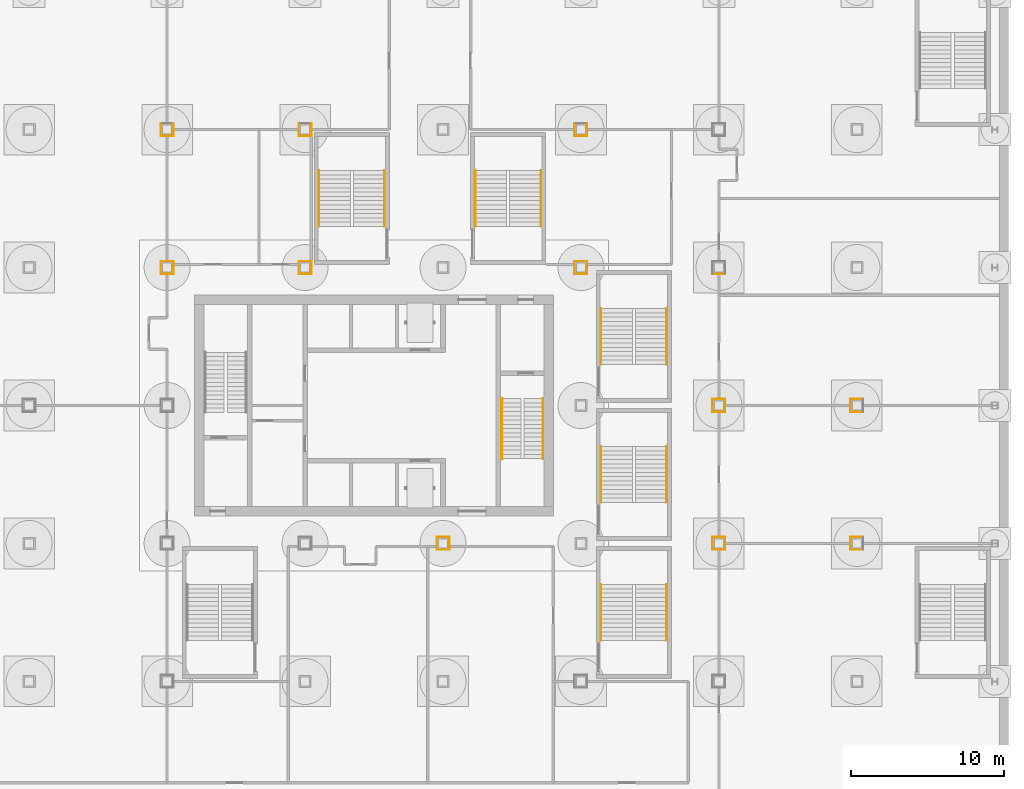
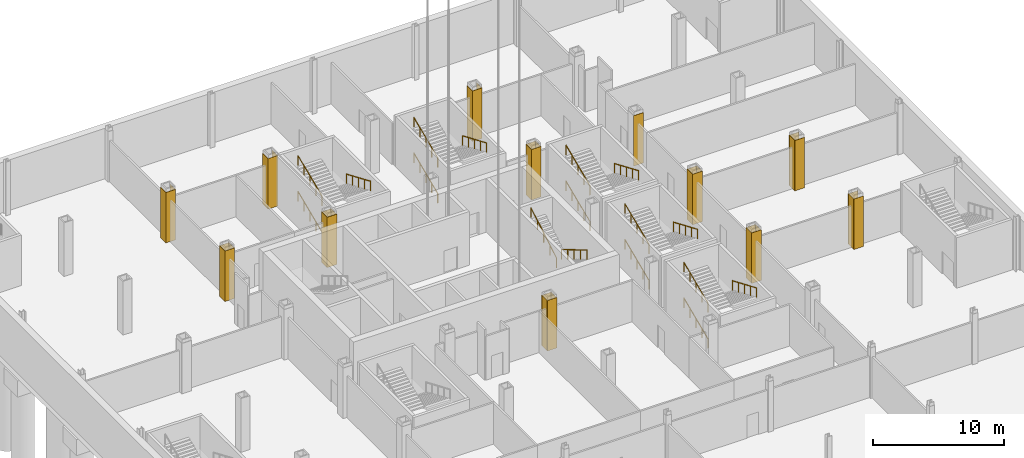
# One storey, part 21 of 28: 40 coverings, 17 railings.
"""IFC4 building model written with IfcOpenShell, lengths in metres."""

from ifc_helpers import new_model, si_unit, direction, frame, origin, origin_2d, place, context, subcontext, project, spatial, rectangle, circle, extrude, material, layer, layer_set, type_object, element, save


model = new_model("IFC4")

# Units and contexts
model_context = context("Model", 3, precision=1e-05, world=origin(), true_north=direction((0.0, 1.0)))
body_context = subcontext(model_context, "Body", "Model", "MODEL_VIEW")
ifc_project = project(units=[si_unit("LENGTHUNIT", "METRE"), si_unit("AREAUNIT", "SQUARE_METRE"), si_unit("VOLUMEUNIT", "CUBIC_METRE"), si_unit("PLANEANGLEUNIT", "RADIAN"), si_unit("MASSUNIT", "GRAM", prefix="KILO")], contexts=[model_context])

# Site, building, storey
site_placement = place(None, origin())
site = spatial("IfcSite", under=ifc_project, at=site_placement, CompositionType="ELEMENT")
building_placement = place(site_placement, origin())
building = spatial("IfcBuilding", under=site, at=building_placement, Name="Loomwork Tower", CompositionType="ELEMENT")
storey_placement = place(building_placement, frame((0.0, 0.0, -10.5)))
storey = spatial("IfcBuildingStorey", under=building, at=storey_placement, Name="B2", CompositionType="ELEMENT", Elevation=-10.5)

# Coverings
ifc_material_1 = material(Name="Two-hour fire-rated gypsum board casing")
ifc_layer = layer(ifc_material_1, 0.02490234375)
ifc_layer_set = layer_set([ifc_layer], Name="Column fire casing 25")
covering_type = type_object("IfcCoveringType", Name="Column fire casing 25", PredefinedType="CLADDING", material=ifc_layer_set)
for number, where, z_axis, x_axis, name in (
    (1, (9.0, 27.41259765625, 0.0), (0.0, 0.0, 1.0), (1.0, 0.0, 0.0), "Column casing 9 27 B2"),
    (2, (9.0, 26.58740234375, 0.0), (0.0, 0.0, 1.0), (1.0, 0.0, 0.0), "Column casing 9 27 B2"),
):
    element("IfcCovering", number, at=place(storey_placement, frame(where, z_axis=z_axis, x_axis=x_axis)), inside=storey, type_object=covering_type, Name=name, PredefinedType="CLADDING", context=body_context, shape_type="SweptSolid", body=[
        extrude(rectangle(XDim=0.85009765625, YDim=0.02490234375, at=origin_2d()), origin(), (0.0, 0.0, 1.0), 4.699951171875),
    ])
for number, where, z_axis, x_axis, name in (
    (3, (9.41259765625, 27.0, 0.0), (0.0, 0.0, 1.0), (1.0, 0.0, 0.0), "Column casing 9 27 B2"),
    (4, (8.58740234375, 27.0, 0.0), (0.0, 0.0, 1.0), (1.0, 0.0, 0.0), "Column casing 9 27 B2"),
):
    element("IfcCovering", number, at=place(storey_placement, frame(where, z_axis=z_axis, x_axis=x_axis)), inside=storey, type_object=covering_type, Name=name, PredefinedType="CLADDING", context=body_context, shape_type="SweptSolid", body=[
        extrude(rectangle(XDim=0.02490234375, YDim=0.800048828125, at=origin_2d()), origin(), (0.0, 0.0, 1.0), 4.699951171875),
    ])
covering_1_placement = place(storey_placement, frame((9.0, 35.58740234375, 0.0), z_axis=(0.0, 0.0, 1.0), x_axis=(1.0, 0.0, 0.0)))
element("IfcCovering", 5, at=covering_1_placement, inside=storey, type_object=covering_type, Name="Column casing 9 36 B2", PredefinedType="CLADDING", context=body_context, shape_type="SweptSolid", body=[
    extrude(rectangle(XDim=0.85009765625, YDim=0.02490234375, at=origin_2d()), origin(), (0.0, 0.0, 1.0), 4.699951171875),
])
for number, where, z_axis, x_axis, name in (
    (6, (9.41259765625, 36.0, 0.0), (0.0, 0.0, 1.0), (1.0, 0.0, 0.0), "Column casing 9 36 B2"),
    (7, (8.58740234375, 36.0, 0.0), (0.0, 0.0, 1.0), (1.0, 0.0, 0.0), "Column casing 9 36 B2"),
):
    element("IfcCovering", number, at=place(storey_placement, frame(where, z_axis=z_axis, x_axis=x_axis)), inside=storey, type_object=covering_type, Name=name, PredefinedType="CLADDING", context=body_context, shape_type="SweptSolid", body=[
        extrude(rectangle(XDim=0.02490234375, YDim=0.800048828125, at=origin_2d()), origin(), (0.0, 0.0, 1.0), 4.699951171875),
    ])
for number, where, z_axis, x_axis, name in (
    (8, (18.0, 27.41259765625, 0.0), (0.0, 0.0, 1.0), (1.0, 0.0, 0.0), "Column casing 18 27 B2"),
    (9, (18.0, 26.58740234375, 0.0), (0.0, 0.0, 1.0), (1.0, 0.0, 0.0), "Column casing 18 27 B2"),
):
    element("IfcCovering", number, at=place(storey_placement, frame(where, z_axis=z_axis, x_axis=x_axis)), inside=storey, type_object=covering_type, Name=name, PredefinedType="CLADDING", context=body_context, shape_type="SweptSolid", body=[
        extrude(rectangle(XDim=0.85009765625, YDim=0.02490234375, at=origin_2d()), origin(), (0.0, 0.0, 1.0), 4.699951171875),
    ])
for number, where, z_axis, x_axis, name in (
    (10, (18.41259765625, 27.0, 0.0), (0.0, 0.0, 1.0), (1.0, 0.0, 0.0), "Column casing 18 27 B2"),
    (11, (17.58740234375, 27.0, 0.0), (0.0, 0.0, 1.0), (1.0, 0.0, 0.0), "Column casing 18 27 B2"),
):
    element("IfcCovering", number, at=place(storey_placement, frame(where, z_axis=z_axis, x_axis=x_axis)), inside=storey, type_object=covering_type, Name=name, PredefinedType="CLADDING", context=body_context, shape_type="SweptSolid", body=[
        extrude(rectangle(XDim=0.02490234375, YDim=0.800048828125, at=origin_2d()), origin(), (0.0, 0.0, 1.0), 4.699951171875),
    ])
covering_2_placement = place(storey_placement, frame((18.0, 35.58740234375, 0.0), z_axis=(0.0, 0.0, 1.0), x_axis=(1.0, 0.0, 0.0)))
element("IfcCovering", 12, at=covering_2_placement, inside=storey, type_object=covering_type, Name="Column casing 18 36 B2", PredefinedType="CLADDING", context=body_context, shape_type="SweptSolid", body=[
    extrude(rectangle(XDim=0.85009765625, YDim=0.02490234375, at=origin_2d()), origin(), (0.0, 0.0, 1.0), 4.699951171875),
])
for number, where, z_axis, x_axis, name in (
    (13, (18.41259765625, 36.0, 0.0), (0.0, 0.0, 1.0), (1.0, 0.0, 0.0), "Column casing 18 36 B2"),
    (14, (17.58740234375, 36.0, 0.0), (0.0, 0.0, 1.0), (1.0, 0.0, 0.0), "Column casing 18 36 B2"),
):
    element("IfcCovering", number, at=place(storey_placement, frame(where, z_axis=z_axis, x_axis=x_axis)), inside=storey, type_object=covering_type, Name=name, PredefinedType="CLADDING", context=body_context, shape_type="SweptSolid", body=[
        extrude(rectangle(XDim=0.02490234375, YDim=0.800048828125, at=origin_2d()), origin(), (0.0, 0.0, 1.0), 4.699951171875),
    ])
for number, where, z_axis, x_axis, name in (
    (15, (27.0, 9.41259765625, 0.0), (0.0, 0.0, 1.0), (1.0, 0.0, 0.0), "Column casing 27 9 B2"),
    (16, (27.0, 8.58740234375, 0.0), (0.0, 0.0, 1.0), (1.0, 0.0, 0.0), "Column casing 27 9 B2"),
):
    element("IfcCovering", number, at=place(storey_placement, frame(where, z_axis=z_axis, x_axis=x_axis)), inside=storey, type_object=covering_type, Name=name, PredefinedType="CLADDING", context=body_context, shape_type="SweptSolid", body=[
        extrude(rectangle(XDim=0.85009765625, YDim=0.02490234375, at=origin_2d()), origin(), (0.0, 0.0, 1.0), 4.699951171875),
    ])
for number, where, z_axis, x_axis, name in (
    (17, (27.41259765625, 9.0, 0.0), (0.0, 0.0, 1.0), (1.0, 0.0, 0.0), "Column casing 27 9 B2"),
    (18, (26.58740234375, 9.0, 0.0), (0.0, 0.0, 1.0), (1.0, 0.0, 0.0), "Column casing 27 9 B2"),
):
    element("IfcCovering", number, at=place(storey_placement, frame(where, z_axis=z_axis, x_axis=x_axis)), inside=storey, type_object=covering_type, Name=name, PredefinedType="CLADDING", context=body_context, shape_type="SweptSolid", body=[
        extrude(rectangle(XDim=0.02490234375, YDim=0.800048828125, at=origin_2d()), origin(), (0.0, 0.0, 1.0), 4.699951171875),
    ])
for number, where, z_axis, x_axis, name in (
    (19, (36.0, 27.41259765625, 0.0), (0.0, 0.0, 1.0), (1.0, 0.0, 0.0), "Column casing 36 27 B2"),
    (20, (36.0, 26.58740234375, 0.0), (0.0, 0.0, 1.0), (1.0, 0.0, 0.0), "Column casing 36 27 B2"),
):
    element("IfcCovering", number, at=place(storey_placement, frame(where, z_axis=z_axis, x_axis=x_axis)), inside=storey, type_object=covering_type, Name=name, PredefinedType="CLADDING", context=body_context, shape_type="SweptSolid", body=[
        extrude(rectangle(XDim=0.85009765625, YDim=0.02490234375, at=origin_2d()), origin(), (0.0, 0.0, 1.0), 4.699951171875),
    ])
for number, where, z_axis, x_axis, name in (
    (21, (36.41259765625, 27.0, 0.0), (0.0, 0.0, 1.0), (1.0, 0.0, 0.0), "Column casing 36 27 B2"),
    (22, (35.58740234375, 27.0, 0.0), (0.0, 0.0, 1.0), (1.0, 0.0, 0.0), "Column casing 36 27 B2"),
):
    element("IfcCovering", number, at=place(storey_placement, frame(where, z_axis=z_axis, x_axis=x_axis)), inside=storey, type_object=covering_type, Name=name, PredefinedType="CLADDING", context=body_context, shape_type="SweptSolid", body=[
        extrude(rectangle(XDim=0.02490234375, YDim=0.800048828125, at=origin_2d()), origin(), (0.0, 0.0, 1.0), 4.699951171875),
    ])
covering_3_placement = place(storey_placement, frame((36.0, 35.58740234375, 0.0), z_axis=(0.0, 0.0, 1.0), x_axis=(1.0, 0.0, 0.0)))
element("IfcCovering", 23, at=covering_3_placement, inside=storey, type_object=covering_type, Name="Column casing 36 36 B2", PredefinedType="CLADDING", context=body_context, shape_type="SweptSolid", body=[
    extrude(rectangle(XDim=0.85009765625, YDim=0.02490234375, at=origin_2d()), origin(), (0.0, 0.0, 1.0), 4.699951171875),
])
for number, where, z_axis, x_axis, name in (
    (24, (36.41259765625, 36.0, 0.0), (0.0, 0.0, 1.0), (1.0, 0.0, 0.0), "Column casing 36 36 B2"),
    (25, (35.58740234375, 36.0, 0.0), (0.0, 0.0, 1.0), (1.0, 0.0, 0.0), "Column casing 36 36 B2"),
):
    element("IfcCovering", number, at=place(storey_placement, frame(where, z_axis=z_axis, x_axis=x_axis)), inside=storey, type_object=covering_type, Name=name, PredefinedType="CLADDING", context=body_context, shape_type="SweptSolid", body=[
        extrude(rectangle(XDim=0.02490234375, YDim=0.800048828125, at=origin_2d()), origin(), (0.0, 0.0, 1.0), 4.699951171875),
    ])
for number, where, z_axis, x_axis, name in (
    (26, (45.0, 9.41259765625, 0.0), (0.0, 0.0, 1.0), (1.0, 0.0, 0.0), "Column casing 45 9 B2"),
    (27, (45.0, 8.58740234375, 0.0), (0.0, 0.0, 1.0), (1.0, 0.0, 0.0), "Column casing 45 9 B2"),
):
    element("IfcCovering", number, at=place(storey_placement, frame(where, z_axis=z_axis, x_axis=x_axis)), inside=storey, type_object=covering_type, Name=name, PredefinedType="CLADDING", context=body_context, shape_type="SweptSolid", body=[
        extrude(rectangle(XDim=0.85009765625, YDim=0.02490234375, at=origin_2d()), origin(), (0.0, 0.0, 1.0), 4.699951171875),
    ])
for number, where, z_axis, x_axis, name in (
    (28, (45.41259765625, 9.0, 0.0), (0.0, 0.0, 1.0), (1.0, 0.0, 0.0), "Column casing 45 9 B2"),
    (29, (44.58740234375, 9.0, 0.0), (0.0, 0.0, 1.0), (1.0, 0.0, 0.0), "Column casing 45 9 B2"),
):
    element("IfcCovering", number, at=place(storey_placement, frame(where, z_axis=z_axis, x_axis=x_axis)), inside=storey, type_object=covering_type, Name=name, PredefinedType="CLADDING", context=body_context, shape_type="SweptSolid", body=[
        extrude(rectangle(XDim=0.02490234375, YDim=0.800048828125, at=origin_2d()), origin(), (0.0, 0.0, 1.0), 4.699951171875),
    ])
for number, where, z_axis, x_axis, name in (
    (30, (45.0, 18.41259765625, 0.0), (0.0, 0.0, 1.0), (1.0, 0.0, 0.0), "Column casing 45 18 B2"),
    (31, (45.0, 17.58740234375, 0.0), (0.0, 0.0, 1.0), (1.0, 0.0, 0.0), "Column casing 45 18 B2"),
):
    element("IfcCovering", number, at=place(storey_placement, frame(where, z_axis=z_axis, x_axis=x_axis)), inside=storey, type_object=covering_type, Name=name, PredefinedType="CLADDING", context=body_context, shape_type="SweptSolid", body=[
        extrude(rectangle(XDim=0.85009765625, YDim=0.02490234375, at=origin_2d()), origin(), (0.0, 0.0, 1.0), 4.699951171875),
    ])
for number, where, z_axis, x_axis, name in (
    (32, (45.41259765625, 18.0, 0.0), (0.0, 0.0, 1.0), (1.0, 0.0, 0.0), "Column casing 45 18 B2"),
    (33, (44.58740234375, 18.0, 0.0), (0.0, 0.0, 1.0), (1.0, 0.0, 0.0), "Column casing 45 18 B2"),
):
    element("IfcCovering", number, at=place(storey_placement, frame(where, z_axis=z_axis, x_axis=x_axis)), inside=storey, type_object=covering_type, Name=name, PredefinedType="CLADDING", context=body_context, shape_type="SweptSolid", body=[
        extrude(rectangle(XDim=0.02490234375, YDim=0.800048828125, at=origin_2d()), origin(), (0.0, 0.0, 1.0), 4.699951171875),
    ])
for number, where, z_axis, x_axis, name in (
    (34, (45.0, 26.58740234375, 0.0), (0.0, 0.0, 1.0), (1.0, 0.0, 0.0), "Column casing 45 27 B2"),
    (35, (54.0, 9.41259765625, 0.0), (0.0, 0.0, 1.0), (1.0, 0.0, 0.0), "Column casing 54 9 B2"),
    (36, (54.0, 8.58740234375, 0.0), (0.0, 0.0, 1.0), (1.0, 0.0, 0.0), "Column casing 54 9 B2"),
):
    element("IfcCovering", number, at=place(storey_placement, frame(where, z_axis=z_axis, x_axis=x_axis)), inside=storey, type_object=covering_type, Name=name, PredefinedType="CLADDING", context=body_context, shape_type="SweptSolid", body=[
        extrude(rectangle(XDim=0.85009765625, YDim=0.02490234375, at=origin_2d()), origin(), (0.0, 0.0, 1.0), 4.699951171875),
    ])
covering_4_placement = place(storey_placement, frame((53.58740234375, 9.0, 0.0), z_axis=(0.0, 0.0, 1.0), x_axis=(1.0, 0.0, 0.0)))
element("IfcCovering", 37, at=covering_4_placement, inside=storey, type_object=covering_type, Name="Column casing 54 9 B2", PredefinedType="CLADDING", context=body_context, shape_type="SweptSolid", body=[
    extrude(rectangle(XDim=0.02490234375, YDim=0.800048828125, at=origin_2d()), origin(), (0.0, 0.0, 1.0), 4.699951171875),
])
for number, where, z_axis, x_axis, name in (
    (38, (54.0, 18.41259765625, 0.0), (0.0, 0.0, 1.0), (1.0, 0.0, 0.0), "Column casing 54 18 B2"),
    (39, (54.0, 17.58740234375, 0.0), (0.0, 0.0, 1.0), (1.0, 0.0, 0.0), "Column casing 54 18 B2"),
):
    element("IfcCovering", number, at=place(storey_placement, frame(where, z_axis=z_axis, x_axis=x_axis)), inside=storey, type_object=covering_type, Name=name, PredefinedType="CLADDING", context=body_context, shape_type="SweptSolid", body=[
        extrude(rectangle(XDim=0.85009765625, YDim=0.02490234375, at=origin_2d()), origin(), (0.0, 0.0, 1.0), 4.699951171875),
    ])
covering_5_placement = place(storey_placement, frame((53.58740234375, 18.0, 0.0), z_axis=(0.0, 0.0, 1.0), x_axis=(1.0, 0.0, 0.0)))
element("IfcCovering", 40, at=covering_5_placement, inside=storey, type_object=covering_type, Name="Column casing 54 18 B2", PredefinedType="CLADDING", context=body_context, shape_type="SweptSolid", body=[
    extrude(rectangle(XDim=0.02490234375, YDim=0.800048828125, at=origin_2d()), origin(), (0.0, 0.0, 1.0), 4.699951171875),
])

# Railings
ifc_material_2 = material(Name="Stainless steel handrail", Category="steel")
railing_type = type_object("IfcRailingType", Name="Handrail 900", PredefinedType="HANDRAIL", material=ifc_material_2)
railing_1_placement = place(storey_placement, frame((33.514892578125, 18.449951171875, 0.166748046875)))
element("IfcRailing", 41, at=railing_1_placement, inside=storey, type_object=railing_type, Name="Stair B handrail flight 1 B2", PredefinedType="HANDRAIL", context=body_context, shape_type="SweptSolid", body=[
    extrude(circle(Radius=0.02392578125, at=origin_2d()), frame((0.0, 0.0, 0.8759765625), z_axis=(0.0, -0.859296244711, 0.511478214419), x_axis=(1.0, 0.0, 0.0)), (0.0, 0.0, 1.0), 4.561767578125),
    extrude(circle(Radius=0.02099609375, at=origin_2d()), origin(), (0.0, 0.0, 1.0), 0.851806640625),
    extrude(circle(Radius=0.02099609375, at=origin_2d()), frame((0.0, -0.97998046875, 0.583251953125)), (0.0, 0.0, 1.0), 0.851806640625),
    extrude(circle(Radius=0.02099609375, at=origin_2d()), frame((0.0, -1.9599609375, 1.16650390625)), (0.0, 0.0, 1.0), 0.851806640625),
    extrude(circle(Radius=0.02099609375, at=origin_2d()), frame((0.0, -2.93994140625, 1.75)), (0.0, 0.0, 1.0), 0.851806640625),
    extrude(circle(Radius=0.02099609375, at=origin_2d()), frame((0.0, -3.919921875, 2.333251953125)), (0.0, 0.0, 1.0), 0.851806640625),
])
railing_2_placement = place(storey_placement, frame((30.8349609375, 14.530029296875, 2.666748046875)))
element("IfcRailing", 42, at=railing_2_placement, inside=storey, type_object=railing_type, Name="Stair B handrail flight 2 B2", PredefinedType="HANDRAIL", context=body_context, shape_type="SweptSolid", body=[
    extrude(circle(Radius=0.02392578125, at=origin_2d()), frame((0.0, 0.0, 0.8759765625), z_axis=(0.0, 0.859296244711, 0.511478214419), x_axis=(-1.0, 0.0, 0.0)), (0.0, 0.0, 1.0), 4.561767578125),
    extrude(circle(Radius=0.02099609375, at=origin_2d()), origin(), (0.0, 0.0, 1.0), 0.851806640625),
    extrude(circle(Radius=0.02099609375, at=origin_2d()), frame((0.0, 0.97998046875, 0.583251953125)), (0.0, 0.0, 1.0), 0.851806640625),
    extrude(circle(Radius=0.02099609375, at=origin_2d()), frame((0.0, 1.9599609375, 1.16650390625)), (0.0, 0.0, 1.0), 0.851806640625),
    extrude(circle(Radius=0.02099609375, at=origin_2d()), frame((0.0, 2.93994140625, 1.75)), (0.0, 0.0, 1.0), 0.851806640625),
    extrude(circle(Radius=0.02099609375, at=origin_2d()), frame((0.0, 3.919921875, 2.333251953125)), (0.0, 0.0, 1.0), 0.851806640625),
])
railing_3_placement = place(storey_placement, frame((37.31005859375, 2.679931640625, 0.118896484375)))
element("IfcRailing", 43, at=railing_3_placement, inside=storey, type_object=railing_type, Name="Podium stair PS7 handrail flight 1 B2", PredefinedType="HANDRAIL", context=body_context, shape_type="SweptSolid", body=[
    extrude(circle(Radius=0.02392578125, at=origin_2d()), frame((0.0, 0.0, 0.8759765625), z_axis=(0.0, 0.920258693564, 0.391310537706), x_axis=(-1.0, 0.0, 0.0)), (0.0, 0.0, 1.0), 3.95556640625),
    extrude(circle(Radius=0.02099609375, at=origin_2d()), origin(), (0.0, 0.0, 1.0), 0.851806640625),
    extrude(circle(Radius=0.02099609375, at=origin_2d()), frame((0.0, 0.91015625, 0.386962890625)), (0.0, 0.0, 1.0), 0.851806640625),
    extrude(circle(Radius=0.02099609375, at=origin_2d()), frame((0.0, 1.820068359375, 0.77392578125)), (0.0, 0.0, 1.0), 0.851806640625),
    extrude(circle(Radius=0.02099609375, at=origin_2d()), frame((0.0, 2.72998046875, 1.160888671875)), (0.0, 0.0, 1.0), 0.851806640625),
    extrude(circle(Radius=0.02099609375, at=origin_2d()), frame((0.0, 3.64013671875, 1.5478515625)), (0.0, 0.0, 1.0), 0.851806640625),
])
railing_4_placement = place(storey_placement, frame((41.590087890625, 6.320068359375, 1.78564453125)))
element("IfcRailing", 44, at=railing_4_placement, inside=storey, type_object=railing_type, Name="Podium stair PS7 handrail flight 2 B2", PredefinedType="HANDRAIL", context=body_context, shape_type="SweptSolid", body=[
    extrude(circle(Radius=0.02392578125, at=origin_2d()), frame((0.0, 0.0, 0.8759765625), z_axis=(0.0, -0.920258693564, 0.391310537706), x_axis=(1.0, 0.0, 0.0)), (0.0, 0.0, 1.0), 3.95556640625),
    extrude(circle(Radius=0.02099609375, at=origin_2d()), origin(), (0.0, 0.0, 1.0), 0.851806640625),
    extrude(circle(Radius=0.02099609375, at=origin_2d()), frame((0.0, -0.91015625, 0.386962890625)), (0.0, 0.0, 1.0), 0.851806640625),
    extrude(circle(Radius=0.02099609375, at=origin_2d()), frame((0.0, -1.820068359375, 0.77392578125)), (0.0, 0.0, 1.0), 0.851806640625),
    extrude(circle(Radius=0.02099609375, at=origin_2d()), frame((0.0, -2.72998046875, 1.160888671875)), (0.0, 0.0, 1.0), 0.851806640625),
    extrude(circle(Radius=0.02099609375, at=origin_2d()), frame((0.0, -3.64013671875, 1.5478515625)), (0.0, 0.0, 1.0), 0.851806640625),
])
railing_5_placement = place(storey_placement, frame((37.31005859375, 2.679931640625, 3.452392578125)))
element("IfcRailing", 45, at=railing_5_placement, inside=storey, type_object=railing_type, Name="Podium stair PS7 handrail flight 3 B2", PredefinedType="HANDRAIL", context=body_context, shape_type="SweptSolid", body=[
    extrude(circle(Radius=0.02392578125, at=origin_2d()), frame((0.0, 0.0, 0.8759765625), z_axis=(0.0, 0.920280918742, 0.391258265855), x_axis=(-1.0, 0.0, 0.0)), (0.0, 0.0, 1.0), 3.95556640625),
    extrude(circle(Radius=0.02099609375, at=origin_2d()), origin(), (0.0, 0.0, 1.0), 0.851806640625),
    extrude(circle(Radius=0.02099609375, at=origin_2d()), frame((0.0, 0.91015625, 0.386962890625)), (0.0, 0.0, 1.0), 0.851806640625),
    extrude(circle(Radius=0.02099609375, at=origin_2d()), frame((0.0, 1.820068359375, 0.77392578125)), (0.0, 0.0, 1.0), 0.851806640625),
    extrude(circle(Radius=0.02099609375, at=origin_2d()), frame((0.0, 2.72998046875, 1.16064453125)), (0.0, 0.0, 1.0), 0.851806640625),
    extrude(circle(Radius=0.02099609375, at=origin_2d()), frame((0.0, 3.64013671875, 1.547607421875)), (0.0, 0.0, 1.0), 0.851806640625),
])
railing_6_placement = place(storey_placement, frame((37.31005859375, 11.679931640625, 0.118896484375)))
element("IfcRailing", 46, at=railing_6_placement, inside=storey, type_object=railing_type, Name="Podium stair PS8 handrail flight 1 B2", PredefinedType="HANDRAIL", context=body_context, shape_type="SweptSolid", body=[
    extrude(circle(Radius=0.02392578125, at=origin_2d()), frame((0.0, 0.0, 0.8759765625), z_axis=(0.0, 0.920258693564, 0.391310537706), x_axis=(-1.0, 0.0, 0.0)), (0.0, 0.0, 1.0), 3.95556640625),
    extrude(circle(Radius=0.02099609375, at=origin_2d()), origin(), (0.0, 0.0, 1.0), 0.851806640625),
    extrude(circle(Radius=0.02099609375, at=origin_2d()), frame((0.0, 0.91015625, 0.386962890625)), (0.0, 0.0, 1.0), 0.851806640625),
    extrude(circle(Radius=0.02099609375, at=origin_2d()), frame((0.0, 1.820068359375, 0.77392578125)), (0.0, 0.0, 1.0), 0.851806640625),
    extrude(circle(Radius=0.02099609375, at=origin_2d()), frame((0.0, 2.72998046875, 1.160888671875)), (0.0, 0.0, 1.0), 0.851806640625),
    extrude(circle(Radius=0.02099609375, at=origin_2d()), frame((0.0, 3.64013671875, 1.5478515625)), (0.0, 0.0, 1.0), 0.851806640625),
])
railing_7_placement = place(storey_placement, frame((41.590087890625, 15.320068359375, 1.78564453125)))
element("IfcRailing", 47, at=railing_7_placement, inside=storey, type_object=railing_type, Name="Podium stair PS8 handrail flight 2 B2", PredefinedType="HANDRAIL", context=body_context, shape_type="SweptSolid", body=[
    extrude(circle(Radius=0.02392578125, at=origin_2d()), frame((0.0, 0.0, 0.8759765625), z_axis=(0.0, -0.920258693564, 0.391310537706), x_axis=(1.0, 0.0, 0.0)), (0.0, 0.0, 1.0), 3.95556640625),
    extrude(circle(Radius=0.02099609375, at=origin_2d()), origin(), (0.0, 0.0, 1.0), 0.851806640625),
    extrude(circle(Radius=0.02099609375, at=origin_2d()), frame((0.0, -0.91015625, 0.386962890625)), (0.0, 0.0, 1.0), 0.851806640625),
    extrude(circle(Radius=0.02099609375, at=origin_2d()), frame((0.0, -1.820068359375, 0.77392578125)), (0.0, 0.0, 1.0), 0.851806640625),
    extrude(circle(Radius=0.02099609375, at=origin_2d()), frame((0.0, -2.72998046875, 1.160888671875)), (0.0, 0.0, 1.0), 0.851806640625),
    extrude(circle(Radius=0.02099609375, at=origin_2d()), frame((0.0, -3.64013671875, 1.5478515625)), (0.0, 0.0, 1.0), 0.851806640625),
])
railing_8_placement = place(storey_placement, frame((37.31005859375, 11.679931640625, 3.452392578125)))
element("IfcRailing", 48, at=railing_8_placement, inside=storey, type_object=railing_type, Name="Podium stair PS8 handrail flight 3 B2", PredefinedType="HANDRAIL", context=body_context, shape_type="SweptSolid", body=[
    extrude(circle(Radius=0.02392578125, at=origin_2d()), frame((0.0, 0.0, 0.8759765625), z_axis=(0.0, 0.920280918742, 0.391258265855), x_axis=(-1.0, 0.0, 0.0)), (0.0, 0.0, 1.0), 3.95556640625),
    extrude(circle(Radius=0.02099609375, at=origin_2d()), origin(), (0.0, 0.0, 1.0), 0.851806640625),
    extrude(circle(Radius=0.02099609375, at=origin_2d()), frame((0.0, 0.91015625, 0.386962890625)), (0.0, 0.0, 1.0), 0.851806640625),
    extrude(circle(Radius=0.02099609375, at=origin_2d()), frame((0.0, 1.820068359375, 0.77392578125)), (0.0, 0.0, 1.0), 0.851806640625),
    extrude(circle(Radius=0.02099609375, at=origin_2d()), frame((0.0, 2.72998046875, 1.16064453125)), (0.0, 0.0, 1.0), 0.851806640625),
    extrude(circle(Radius=0.02099609375, at=origin_2d()), frame((0.0, 3.64013671875, 1.547607421875)), (0.0, 0.0, 1.0), 0.851806640625),
])
railing_9_placement = place(storey_placement, frame((37.31005859375, 20.679931640625, 0.118896484375)))
element("IfcRailing", 49, at=railing_9_placement, inside=storey, type_object=railing_type, Name="Podium stair PS9 handrail flight 1 B2", PredefinedType="HANDRAIL", context=body_context, shape_type="SweptSolid", body=[
    extrude(circle(Radius=0.02392578125, at=origin_2d()), frame((0.0, 0.0, 0.8759765625), z_axis=(0.0, 0.920258693564, 0.391310537706), x_axis=(-1.0, 0.0, 0.0)), (0.0, 0.0, 1.0), 3.95556640625),
    extrude(circle(Radius=0.02099609375, at=origin_2d()), origin(), (0.0, 0.0, 1.0), 0.851806640625),
    extrude(circle(Radius=0.02099609375, at=origin_2d()), frame((0.0, 0.91015625, 0.386962890625)), (0.0, 0.0, 1.0), 0.851806640625),
    extrude(circle(Radius=0.02099609375, at=origin_2d()), frame((0.0, 1.820068359375, 0.77392578125)), (0.0, 0.0, 1.0), 0.851806640625),
    extrude(circle(Radius=0.02099609375, at=origin_2d()), frame((0.0, 2.72998046875, 1.160888671875)), (0.0, 0.0, 1.0), 0.851806640625),
    extrude(circle(Radius=0.02099609375, at=origin_2d()), frame((0.0, 3.64013671875, 1.5478515625)), (0.0, 0.0, 1.0), 0.851806640625),
])
railing_10_placement = place(storey_placement, frame((41.590087890625, 24.320068359375, 1.78564453125)))
element("IfcRailing", 50, at=railing_10_placement, inside=storey, type_object=railing_type, Name="Podium stair PS9 handrail flight 2 B2", PredefinedType="HANDRAIL", context=body_context, shape_type="SweptSolid", body=[
    extrude(circle(Radius=0.02392578125, at=origin_2d()), frame((0.0, 0.0, 0.8759765625), z_axis=(0.0, -0.920258693564, 0.391310537706), x_axis=(1.0, 0.0, 0.0)), (0.0, 0.0, 1.0), 3.95556640625),
    extrude(circle(Radius=0.02099609375, at=origin_2d()), origin(), (0.0, 0.0, 1.0), 0.851806640625),
    extrude(circle(Radius=0.02099609375, at=origin_2d()), frame((0.0, -0.91015625, 0.386962890625)), (0.0, 0.0, 1.0), 0.851806640625),
    extrude(circle(Radius=0.02099609375, at=origin_2d()), frame((0.0, -1.820068359375, 0.77392578125)), (0.0, 0.0, 1.0), 0.851806640625),
    extrude(circle(Radius=0.02099609375, at=origin_2d()), frame((0.0, -2.72998046875, 1.160888671875)), (0.0, 0.0, 1.0), 0.851806640625),
    extrude(circle(Radius=0.02099609375, at=origin_2d()), frame((0.0, -3.64013671875, 1.5478515625)), (0.0, 0.0, 1.0), 0.851806640625),
])
railing_11_placement = place(storey_placement, frame((37.31005859375, 20.679931640625, 3.452392578125)))
element("IfcRailing", 51, at=railing_11_placement, inside=storey, type_object=railing_type, Name="Podium stair PS9 handrail flight 3 B2", PredefinedType="HANDRAIL", context=body_context, shape_type="SweptSolid", body=[
    extrude(circle(Radius=0.02392578125, at=origin_2d()), frame((0.0, 0.0, 0.8759765625), z_axis=(0.0, 0.920280918742, 0.391258265855), x_axis=(-1.0, 0.0, 0.0)), (0.0, 0.0, 1.0), 3.95556640625),
    extrude(circle(Radius=0.02099609375, at=origin_2d()), origin(), (0.0, 0.0, 1.0), 0.851806640625),
    extrude(circle(Radius=0.02099609375, at=origin_2d()), frame((0.0, 0.91015625, 0.386962890625)), (0.0, 0.0, 1.0), 0.851806640625),
    extrude(circle(Radius=0.02099609375, at=origin_2d()), frame((0.0, 1.820068359375, 0.77392578125)), (0.0, 0.0, 1.0), 0.851806640625),
    extrude(circle(Radius=0.02099609375, at=origin_2d()), frame((0.0, 2.72998046875, 1.16064453125)), (0.0, 0.0, 1.0), 0.851806640625),
    extrude(circle(Radius=0.02099609375, at=origin_2d()), frame((0.0, 3.64013671875, 1.547607421875)), (0.0, 0.0, 1.0), 0.851806640625),
])
railing_12_placement = place(storey_placement, frame((18.909912109375, 29.679931640625, 0.118896484375)))
element("IfcRailing", 52, at=railing_12_placement, inside=storey, type_object=railing_type, Name="Podium stair PS10 handrail flight 1 B2", PredefinedType="HANDRAIL", context=body_context, shape_type="SweptSolid", body=[
    extrude(circle(Radius=0.02392578125, at=origin_2d()), frame((0.0, 0.0, 0.8759765625), z_axis=(0.0, 0.920258693564, 0.391310537706), x_axis=(-1.0, 0.0, 0.0)), (0.0, 0.0, 1.0), 3.95556640625),
    extrude(circle(Radius=0.02099609375, at=origin_2d()), origin(), (0.0, 0.0, 1.0), 0.851806640625),
    extrude(circle(Radius=0.02099609375, at=origin_2d()), frame((0.0, 0.91015625, 0.386962890625)), (0.0, 0.0, 1.0), 0.851806640625),
    extrude(circle(Radius=0.02099609375, at=origin_2d()), frame((0.0, 1.820068359375, 0.77392578125)), (0.0, 0.0, 1.0), 0.851806640625),
    extrude(circle(Radius=0.02099609375, at=origin_2d()), frame((0.0, 2.72998046875, 1.160888671875)), (0.0, 0.0, 1.0), 0.851806640625),
    extrude(circle(Radius=0.02099609375, at=origin_2d()), frame((0.0, 3.64013671875, 1.5478515625)), (0.0, 0.0, 1.0), 0.851806640625),
])
railing_13_placement = place(storey_placement, frame((23.18994140625, 33.320068359375, 1.78564453125)))
element("IfcRailing", 53, at=railing_13_placement, inside=storey, type_object=railing_type, Name="Podium stair PS10 handrail flight 2 B2", PredefinedType="HANDRAIL", context=body_context, shape_type="SweptSolid", body=[
    extrude(circle(Radius=0.02392578125, at=origin_2d()), frame((0.0, 0.0, 0.8759765625), z_axis=(0.0, -0.920258693564, 0.391310537706), x_axis=(1.0, 0.0, 0.0)), (0.0, 0.0, 1.0), 3.95556640625),
    extrude(circle(Radius=0.02099609375, at=origin_2d()), origin(), (0.0, 0.0, 1.0), 0.851806640625),
    extrude(circle(Radius=0.02099609375, at=origin_2d()), frame((0.0, -0.91015625, 0.386962890625)), (0.0, 0.0, 1.0), 0.851806640625),
    extrude(circle(Radius=0.02099609375, at=origin_2d()), frame((0.0, -1.820068359375, 0.77392578125)), (0.0, 0.0, 1.0), 0.851806640625),
    extrude(circle(Radius=0.02099609375, at=origin_2d()), frame((0.0, -2.72998046875, 1.160888671875)), (0.0, 0.0, 1.0), 0.851806640625),
    extrude(circle(Radius=0.02099609375, at=origin_2d()), frame((0.0, -3.64013671875, 1.5478515625)), (0.0, 0.0, 1.0), 0.851806640625),
])
railing_14_placement = place(storey_placement, frame((18.909912109375, 29.679931640625, 3.452392578125)))
element("IfcRailing", 54, at=railing_14_placement, inside=storey, type_object=railing_type, Name="Podium stair PS10 handrail flight 3 B2", PredefinedType="HANDRAIL", context=body_context, shape_type="SweptSolid", body=[
    extrude(circle(Radius=0.02392578125, at=origin_2d()), frame((0.0, 0.0, 0.8759765625), z_axis=(0.0, 0.920280918742, 0.391258265855), x_axis=(-1.0, 0.0, 0.0)), (0.0, 0.0, 1.0), 3.95556640625),
    extrude(circle(Radius=0.02099609375, at=origin_2d()), origin(), (0.0, 0.0, 1.0), 0.851806640625),
    extrude(circle(Radius=0.02099609375, at=origin_2d()), frame((0.0, 0.91015625, 0.386962890625)), (0.0, 0.0, 1.0), 0.851806640625),
    extrude(circle(Radius=0.02099609375, at=origin_2d()), frame((0.0, 1.820068359375, 0.77392578125)), (0.0, 0.0, 1.0), 0.851806640625),
    extrude(circle(Radius=0.02099609375, at=origin_2d()), frame((0.0, 2.72998046875, 1.16064453125)), (0.0, 0.0, 1.0), 0.851806640625),
    extrude(circle(Radius=0.02099609375, at=origin_2d()), frame((0.0, 3.64013671875, 1.547607421875)), (0.0, 0.0, 1.0), 0.851806640625),
])
railing_15_placement = place(storey_placement, frame((29.110107421875, 29.679931640625, 0.118896484375)))
element("IfcRailing", 55, at=railing_15_placement, inside=storey, type_object=railing_type, Name="Podium stair PS11 handrail flight 1 B2", PredefinedType="HANDRAIL", context=body_context, shape_type="SweptSolid", body=[
    extrude(circle(Radius=0.02392578125, at=origin_2d()), frame((0.0, 0.0, 0.8759765625), z_axis=(0.0, 0.920258693564, 0.391310537706), x_axis=(-1.0, 0.0, 0.0)), (0.0, 0.0, 1.0), 3.95556640625),
    extrude(circle(Radius=0.02099609375, at=origin_2d()), origin(), (0.0, 0.0, 1.0), 0.851806640625),
    extrude(circle(Radius=0.02099609375, at=origin_2d()), frame((0.0, 0.91015625, 0.386962890625)), (0.0, 0.0, 1.0), 0.851806640625),
    extrude(circle(Radius=0.02099609375, at=origin_2d()), frame((0.0, 1.820068359375, 0.77392578125)), (0.0, 0.0, 1.0), 0.851806640625),
    extrude(circle(Radius=0.02099609375, at=origin_2d()), frame((0.0, 2.72998046875, 1.160888671875)), (0.0, 0.0, 1.0), 0.851806640625),
    extrude(circle(Radius=0.02099609375, at=origin_2d()), frame((0.0, 3.64013671875, 1.5478515625)), (0.0, 0.0, 1.0), 0.851806640625),
])
railing_16_placement = place(storey_placement, frame((33.389892578125, 33.320068359375, 1.78564453125)))
element("IfcRailing", 56, at=railing_16_placement, inside=storey, type_object=railing_type, Name="Podium stair PS11 handrail flight 2 B2", PredefinedType="HANDRAIL", context=body_context, shape_type="SweptSolid", body=[
    extrude(circle(Radius=0.02392578125, at=origin_2d()), frame((0.0, 0.0, 0.8759765625), z_axis=(0.0, -0.920258693564, 0.391310537706), x_axis=(1.0, 0.0, 0.0)), (0.0, 0.0, 1.0), 3.95556640625),
    extrude(circle(Radius=0.02099609375, at=origin_2d()), origin(), (0.0, 0.0, 1.0), 0.851806640625),
    extrude(circle(Radius=0.02099609375, at=origin_2d()), frame((0.0, -0.91015625, 0.386962890625)), (0.0, 0.0, 1.0), 0.851806640625),
    extrude(circle(Radius=0.02099609375, at=origin_2d()), frame((0.0, -1.820068359375, 0.77392578125)), (0.0, 0.0, 1.0), 0.851806640625),
    extrude(circle(Radius=0.02099609375, at=origin_2d()), frame((0.0, -2.72998046875, 1.160888671875)), (0.0, 0.0, 1.0), 0.851806640625),
    extrude(circle(Radius=0.02099609375, at=origin_2d()), frame((0.0, -3.64013671875, 1.5478515625)), (0.0, 0.0, 1.0), 0.851806640625),
])
railing_17_placement = place(storey_placement, frame((29.110107421875, 29.679931640625, 3.452392578125)))
element("IfcRailing", 57, at=railing_17_placement, inside=storey, type_object=railing_type, Name="Podium stair PS11 handrail flight 3 B2", PredefinedType="HANDRAIL", context=body_context, shape_type="SweptSolid", body=[
    extrude(circle(Radius=0.02392578125, at=origin_2d()), frame((0.0, 0.0, 0.8759765625), z_axis=(0.0, 0.920280918742, 0.391258265855), x_axis=(-1.0, 0.0, 0.0)), (0.0, 0.0, 1.0), 3.95556640625),
    extrude(circle(Radius=0.02099609375, at=origin_2d()), origin(), (0.0, 0.0, 1.0), 0.851806640625),
    extrude(circle(Radius=0.02099609375, at=origin_2d()), frame((0.0, 0.91015625, 0.386962890625)), (0.0, 0.0, 1.0), 0.851806640625),
    extrude(circle(Radius=0.02099609375, at=origin_2d()), frame((0.0, 1.820068359375, 0.77392578125)), (0.0, 0.0, 1.0), 0.851806640625),
    extrude(circle(Radius=0.02099609375, at=origin_2d()), frame((0.0, 2.72998046875, 1.16064453125)), (0.0, 0.0, 1.0), 0.851806640625),
    extrude(circle(Radius=0.02099609375, at=origin_2d()), frame((0.0, 3.64013671875, 1.547607421875)), (0.0, 0.0, 1.0), 0.851806640625),
])

save(model, "model.ifc")
